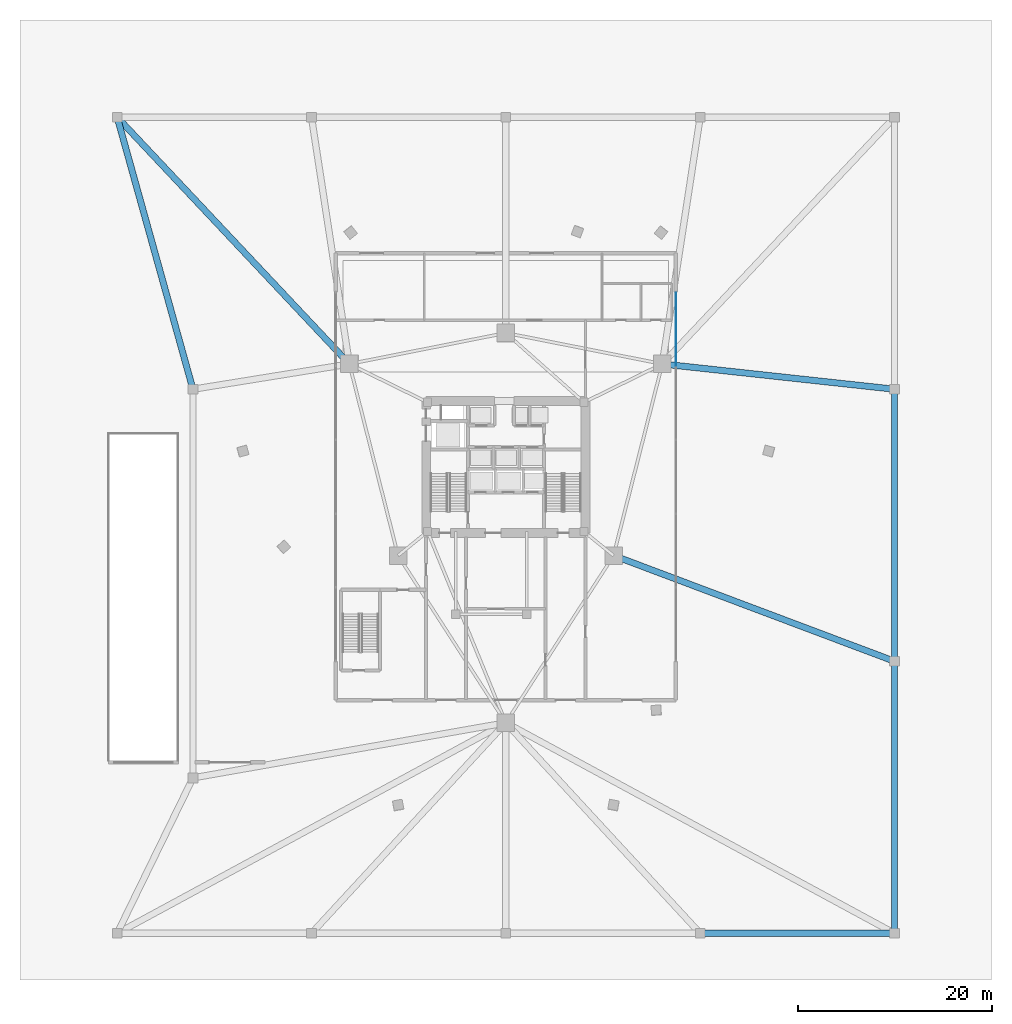
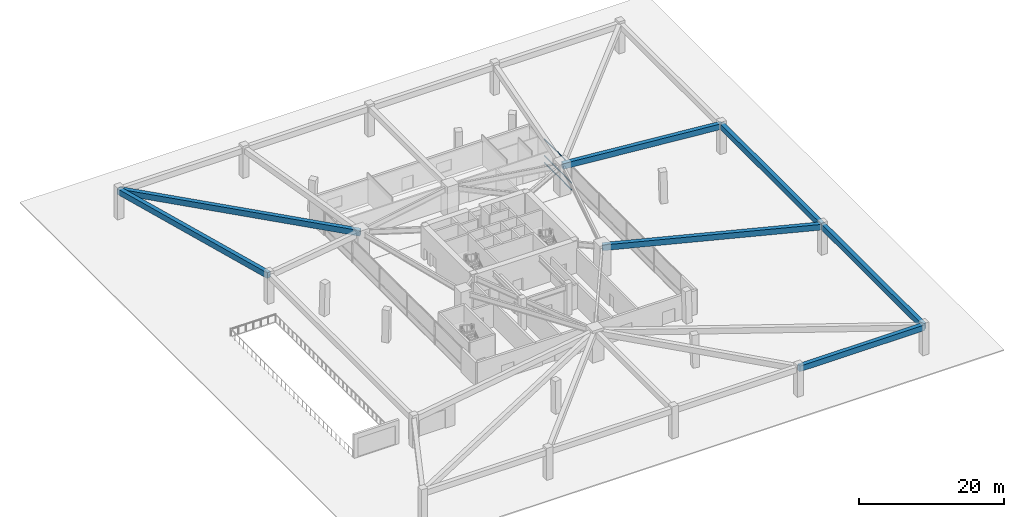
# One storey, part 8 of 19: 7 beams, 3 members, 1 element without a shape of its own.
"""IFC4 building model written with IfcOpenShell, lengths in metres."""

from ifc_helpers import new_model, si_unit, direction, frame, origin, origin_2d, place, context, subcontext, project, spatial, rectangle, extrude, material, layer, layer_set, material_profile, profile_set, type_object, element, aggregate, save


model = new_model("IFC4")

# Units and contexts
model_context = context("Model", 3, precision=1e-05, world=origin(), true_north=direction((0.0, 1.0)))
body_context = subcontext(model_context, "Body", "Model", "MODEL_VIEW")
ifc_project = project(units=[si_unit("LENGTHUNIT", "METRE"), si_unit("AREAUNIT", "SQUARE_METRE"), si_unit("VOLUMEUNIT", "CUBIC_METRE"), si_unit("PLANEANGLEUNIT", "RADIAN"), si_unit("MASSUNIT", "GRAM", prefix="KILO")], contexts=[model_context])

# Site, building, storey
site_placement = place(None, origin())
site = spatial("IfcSite", under=ifc_project, at=site_placement, CompositionType="ELEMENT")
building_placement = place(site_placement, origin())
building = spatial("IfcBuilding", under=site, at=building_placement, Name="Talyreon Biosciences Tower", CompositionType="ELEMENT")
storey_placement = place(building_placement, origin())
storey = spatial("IfcBuildingStorey", under=building, at=storey_placement, Name="L00", CompositionType="ELEMENT", Elevation=0.0)

# Curtain wall, members
ifc_material_1 = material(Name="Thermally broken aluminium and low-E glazing", Category="aluminium")
ifc_layer = layer(ifc_material_1, 0.219970703125)
ifc_layer_set = layer_set([ifc_layer], Name="Thermally broken aluminium and low-E glazing")
curtain_wall_type = type_object("IfcCurtainWallType", Name="CurtainWall_PodiumDoubleHeight", PredefinedType="NOTDEFINED", material=ifc_layer_set)
curtain_wall_placement = place(storey_placement, origin())
curtain_wall = element("IfcCurtainWall", 1, at=curtain_wall_placement, inside=storey, type_object=curtain_wall_type, Name="L00 Unitised Curtain Wall FCW-L00-E", PredefinedType="NOTDEFINED")
ifc_material_2 = material(Name="Anodised thermally broken aluminium", Category="aluminium")
ifc_material_profile_1 = material_profile(ifc_material_2, rectangle(XDim=0.06494140625, YDim=0.139892578125, at=origin_2d()), Name="ALUM TRANSOM 65x140")
ifc_profile_set_1 = profile_set([ifc_material_profile_1], Name="Anodised thermally broken aluminium")
member_type = type_object("IfcMemberType", Name="CWTransom_65x140", PredefinedType="USERDEFINED", material=ifc_profile_set_1)
member_1_placement = place(storey_placement, frame((83.5, 85.925048828125, 0.032470703125), z_axis=(0.0, -1.0, 0.0), x_axis=(1.0, 0.0, 0.0)))
member_1 = element("IfcMember", 2, at=member_1_placement, type_object=member_type, Name="CW1 transom 1.1", ObjectType="TRANSOM", PredefinedType="USERDEFINED", context=body_context, shape_type="SweptSolid", body=[
    extrude(rectangle(XDim=0.06494140625, YDim=0.139892578125, at=origin_2d()), origin(), (0.0, 0.0, 1.0), 7.487548828125),
])
member_2_placement = place(storey_placement, frame((83.5, 85.925048828125, 1.199951171875), z_axis=(0.0, -1.0, 0.0), x_axis=(1.0, 0.0, 0.0)))
member_2 = element("IfcMember", 3, at=member_2_placement, type_object=member_type, Name="CW1 transom 1.2", ObjectType="TRANSOM", PredefinedType="USERDEFINED", context=body_context, shape_type="SweptSolid", body=[
    extrude(rectangle(XDim=0.06494140625, YDim=0.139892578125, at=origin_2d()), origin(), (0.0, 0.0, 1.0), 7.487548828125),
])
member_3_placement = place(storey_placement, frame((83.5, 85.925048828125, 3.99755859375), z_axis=(0.0, -1.0, 0.0), x_axis=(1.0, 0.0, 0.0)))
member_3 = element("IfcMember", 4, at=member_3_placement, type_object=member_type, Name="CW1 transom 1.3", ObjectType="TRANSOM", PredefinedType="USERDEFINED", context=body_context, shape_type="SweptSolid", body=[
    extrude(rectangle(XDim=0.06494140625, YDim=0.139892578125, at=origin_2d()), origin(), (0.0, 0.0, 1.0), 7.487548828125),
])
aggregate(curtain_wall, [member_1, member_2, member_3])

# Beams
ifc_material_3 = material(Name="Concrete C50/60", Category="concrete")
ifc_material_profile_2 = material_profile(ifc_material_3, rectangle(XDim=0.64990234375, YDim=0.949951171875, at=origin_2d()), Name="RCB 650x950")
ifc_profile_set_2 = profile_set([ifc_material_profile_2], Name="Concrete C50/60")
beam_type = type_object("IfcBeamType", Name="PodiumGirder_650x950", PredefinedType="T_BEAM", material=ifc_profile_set_2)
beam_1_placement = place(storey_placement, frame((86.0, 20.0, 4.52490234375), z_axis=(1.0, 0.0, 0.0), x_axis=(0.0, 1.0, 0.0)))
element("IfcBeam", 5, at=beam_1_placement, inside=storey, type_object=beam_type, Name="L00 Podium Perimeter Ring Girder 04", PredefinedType="T_BEAM", context=body_context, shape_type="SweptSolid", body=[
    extrude(rectangle(XDim=0.64990234375, YDim=0.949951171875, at=origin_2d()), origin(), (0.0, 0.0, 1.0), 20.0),
])
for number, where, z_axis, x_axis, name in (
    (6, (106.0, 20.0, 4.52490234375), (0.0, 1.0, 0.0), (-1.0, 0.0, 0.0), "L00 Podium Perimeter Ring Girder 05"),
    (7, (106.0, 48.0, 4.52490234375), (0.0, 1.0, 0.0), (-1.0, 0.0, 0.0), "L00 Podium Perimeter Ring Girder 06"),
):
    element("IfcBeam", number, at=place(storey_placement, frame(where, z_axis=z_axis, x_axis=x_axis)), inside=storey, type_object=beam_type, Name=name, PredefinedType="T_BEAM", context=body_context, shape_type="SweptSolid", body=[
        extrude(rectangle(XDim=0.64990234375, YDim=0.949951171875, at=origin_2d()), origin(), (0.0, 0.0, 1.0), 28.0),
    ])
beam_2_placement = place(storey_placement, frame((26.0, 104.0, 4.52490234375), z_axis=(0.268355123678, -0.963320054601, 0.0), x_axis=(0.963320054601, 0.268355123678, 0.0)))
element("IfcBeam", 8, at=beam_2_placement, inside=storey, type_object=beam_type, Name="L00 Podium Perimeter Ring Girder 12", PredefinedType="T_BEAM", context=body_context, shape_type="SweptSolid", body=[
    extrude(rectangle(XDim=0.64990234375, YDim=0.949951171875, at=origin_2d()), origin(), (0.0, 0.0, 1.0), 29.066162109375),
])
beam_3_placement = place(storey_placement, frame((77.086181640625, 58.88037109375, 4.52490234375), z_axis=(0.935927476384, -0.352192786623, 0.0), x_axis=(0.352192786623, 0.935927476384, 0.0)))
element("IfcBeam", 9, at=beam_3_placement, inside=storey, type_object=beam_type, Name="L00 Podium Radial Tie Girder PDC06", PredefinedType="T_BEAM", context=body_context, shape_type="SweptSolid", body=[
    extrude(rectangle(XDim=0.64990234375, YDim=0.949951171875, at=origin_2d()), origin(), (0.0, 0.0, 1.0), 30.893310546875),
])
beam_4_placement = place(storey_placement, frame((82.102294921875, 78.5986328125, 4.52490234375), z_axis=(0.994139742168, -0.108102604236, 0.0), x_axis=(0.108102604236, 0.994139742168, 0.0)))
element("IfcBeam", 10, at=beam_4_placement, inside=storey, type_object=beam_type, Name="L00 Podium Radial Tie Girder PDC07", PredefinedType="T_BEAM", context=body_context, shape_type="SweptSolid", body=[
    extrude(rectangle(XDim=0.64990234375, YDim=0.949951171875, at=origin_2d()), origin(), (0.0, 0.0, 1.0), 24.03857421875),
])
beam_5_placement = place(storey_placement, frame((49.897705078125, 78.5986328125, 4.52490234375), z_axis=(-0.685220788465, 0.728335411095, 0.0), x_axis=(-0.728335411095, -0.685220788465, 0.0)))
element("IfcBeam", 11, at=beam_5_placement, inside=storey, type_object=beam_type, Name="L00 Podium Radial Tie Girder PDC12", PredefinedType="T_BEAM", context=body_context, shape_type="SweptSolid", body=[
    extrude(rectangle(XDim=0.64990234375, YDim=0.949951171875, at=origin_2d()), origin(), (0.0, 0.0, 1.0), 34.8759765625),
])

save(model, "model.ifc")
